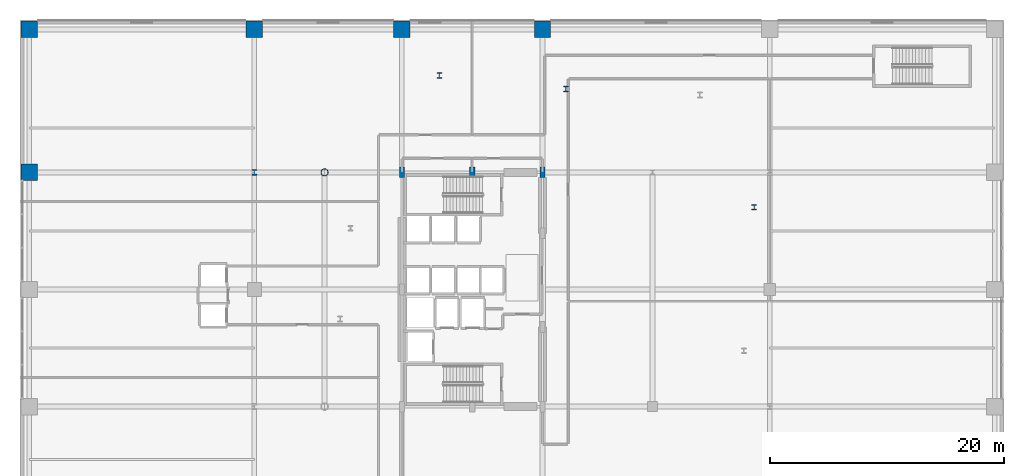
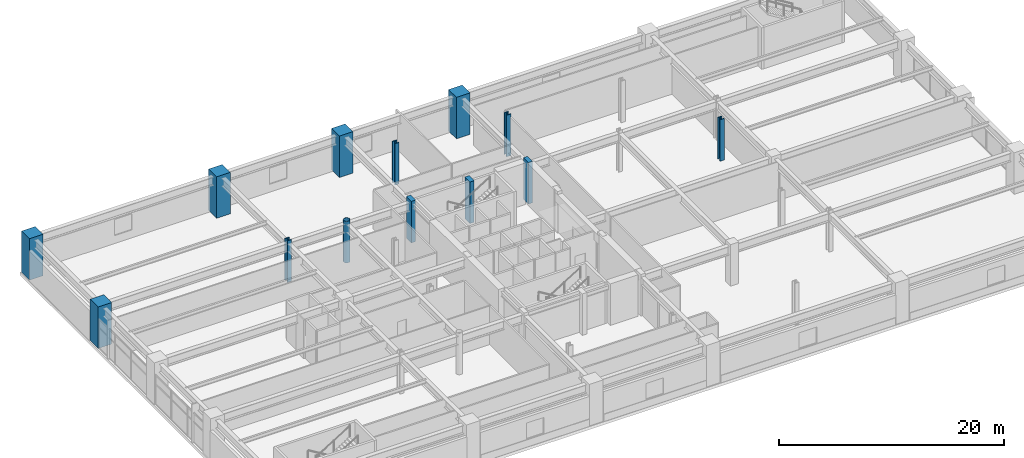
# One storey, part 2 of 28: 13 columns.
"""IFC4 building model written with IfcOpenShell, lengths in metres."""

from ifc_helpers import new_model, si_unit, direction, frame, origin, origin_2d, place, context, subcontext, project, spatial, rectangle, hollow_circle, i_section, extrude, material, material_profile, profile_set, type_object, element, save


model = new_model("IFC4")

# Units and contexts
model_context = context("Model", 3, precision=1e-05, world=origin(), true_north=direction((0.0, 1.0)))
body_context = subcontext(model_context, "Body", "Model", "MODEL_VIEW")
ifc_project = project(units=[si_unit("LENGTHUNIT", "METRE"), si_unit("AREAUNIT", "SQUARE_METRE"), si_unit("VOLUMEUNIT", "CUBIC_METRE"), si_unit("PLANEANGLEUNIT", "RADIAN"), si_unit("MASSUNIT", "GRAM", prefix="KILO")], contexts=[model_context])

# Site, building, storey
site_placement = place(None, origin())
site = spatial("IfcSite", under=ifc_project, at=site_placement, CompositionType="ELEMENT")
building_placement = place(site_placement, origin())
building = spatial("IfcBuilding", under=site, at=building_placement, Name="Soratama Intermodal Tower", CompositionType="ELEMENT")
storey_placement = place(building_placement, frame((0.0, 0.0, 20.699951171875)))
storey = spatial("IfcBuildingStorey", under=building, at=storey_placement, Name="L04", CompositionType="ELEMENT", Elevation=20.699951171875)

# Columns
ifc_material_1 = material(Name="Concrete f'c 56 MPa", Category="concrete")
ifc_material_profile_1 = material_profile(ifc_material_1, rectangle(XDim=1.39990234375, YDim=1.39990234375, at=origin_2d()), Name="RC1400X1400")
ifc_profile_set_1 = profile_set([ifc_material_profile_1], Name="Concrete f'c 56 MPa")
column_type_1 = type_object("IfcColumnType", Name="COL-POD-EXT-RC1400", PredefinedType="COLUMN", material=ifc_profile_set_1)
for number, where, z_axis, x_axis, name in (
    (1, (0.800048828125, 35.0, 0.0), (0.0, 0.0, 1.0), (1.0, 0.0, 0.0), "L04 Station Column P09"),
    (2, (0.800048828125, 47.199951171875, 0.0), (0.0, 0.0, 1.0), (1.0, 0.0, 0.0), "L04 Station Column P13"),
    (3, (20.0, 47.199951171875, 0.0), (0.0, 0.0, 1.0), (1.0, 0.0, 0.0), "L04 Station Column P14"),
    (4, (32.60009765625, 47.199951171875, 0.0), (0.0, 0.0, 1.0), (1.0, 0.0, 0.0), "L04 Station Column P23"),
    (5, (44.60009765625, 47.199951171875, 0.0), (0.0, 0.0, 1.0), (1.0, 0.0, 0.0), "L04 Station Column P24"),
):
    element("IfcColumn", number, at=place(storey_placement, frame(where, z_axis=z_axis, x_axis=x_axis)), inside=storey, type_object=column_type_1, Name=name, PredefinedType="COLUMN", context=body_context, shape_type="SweptSolid", body=[
        extrude(rectangle(XDim=1.39990234375, YDim=1.39990234375, at=origin_2d()), origin(), (0.0, 0.0, 1.0), 4.5),
    ])
ifc_material_2 = material(Name="Structural steel ASTM A992 Grade 50", Category="steel")
ifc_material_profile_2 = material_profile(ifc_material_2, i_section(OverallWidth=0.431884765625, OverallDepth=0.498046875, WebThickness=0.0556640625, FlangeThickness=0.0888671875, FilletRadius=0.0380859375, at=origin_2d()), Name="W14X500")
ifc_profile_set_2 = profile_set([ifc_material_profile_2], Name="Structural steel ASTM A992 Grade 50")
column_type_2 = type_object("IfcColumnType", Name="COL-POD-W14X500", PredefinedType="COLUMN", material=ifc_profile_set_2)
for number, where, z_axis, x_axis, name in (
    (6, (20.0, 35.0, 0.0), (0.0, 0.0, 1.0), (1.0, 0.0, 0.0), "L04 Station Column P10"),
    (7, (62.6689453125, 32.02490234375, 0.0), (0.0, 0.0, 1.0), (1.0, 0.0, 0.0), "L04 Station Column P29"),
    (8, (46.60107421875, 42.116943359375, 0.0), (0.0, 0.0, 1.0), (1.0, 0.0, 0.0), "L04 Station Column P31"),
    (9, (35.7958984375, 43.264892578125, 0.0), (0.0, 0.0, 1.0), (1.0, 0.0, 0.0), "L04 Station Column P32"),
):
    element("IfcColumn", number, at=place(storey_placement, frame(where, z_axis=z_axis, x_axis=x_axis)), inside=storey, type_object=column_type_2, Name=name, PredefinedType="COLUMN", context=body_context, shape_type="SweptSolid", body=[
        extrude(i_section(OverallWidth=0.431884765625, OverallDepth=0.498046875, WebThickness=0.0556640625, FlangeThickness=0.0888671875, FilletRadius=0.0380859375, at=origin_2d()), origin(), (0.0, 0.0, 1.0), 4.5),
    ])
ifc_material_3 = material(Name="Structural steel ASTM A500 Grade C", Category="steel")
ifc_material_profile_3 = material_profile(ifc_material_3, hollow_circle(Radius=0.304931640625, WallThickness=0.02197265625, at=origin_2d()), Name="CHS610X22")
ifc_profile_set_3 = profile_set([ifc_material_profile_3], Name="Structural steel ASTM A500 Grade C")
column_type_3 = type_object("IfcColumnType", Name="COL-POOL-CHS610", PredefinedType="COLUMN", material=ifc_profile_set_3)
column_placement = place(storey_placement, frame((26.0, 35.0, 0.0), z_axis=(0.0, 0.0, 1.0), x_axis=(1.0, 0.0, 0.0)))
element("IfcColumn", 10, at=column_placement, inside=storey, type_object=column_type_3, Name="L04 Station Column P28", PredefinedType="COLUMN", context=body_context, shape_type="SweptSolid", body=[
    extrude(hollow_circle(Radius=0.304931640625, WallThickness=0.02197265625, at=origin_2d()), origin(), (0.0, 0.0, 1.0), 4.5),
])
ifc_material_4 = material(Name="Concrete f'c 56 MPa", Category="concrete")
ifc_material_profile_4 = material_profile(ifc_material_4, rectangle(XDim=0.449951171875, YDim=0.89990234375, at=origin_2d()), Name="RC450X900")
ifc_profile_set_4 = profile_set([ifc_material_profile_4], Name="Concrete f'c 56 MPa")
column_type_4 = type_object("IfcColumnType", Name="PIL-CORE-450X900", PredefinedType="PILASTER", material=ifc_profile_set_4)
for number, where, z_axis, x_axis, name in (
    (11, (32.60009765625, 35.0, 0.0), (0.0, 0.0, 1.0), (1.0, 0.0, 0.0), "L04 Core Pilaster 3"),
    (12, (38.60009765625, 35.0, 0.0), (0.0, 0.0, 1.0), (1.0, 0.0, 0.0), "L04 Core Pilaster 5"),
    (13, (44.60009765625, 35.0, 0.0), (0.0, 0.0, 1.0), (1.0, 0.0, 0.0), "L04 Core Pilaster 9"),
):
    element("IfcColumn", number, at=place(storey_placement, frame(where, z_axis=z_axis, x_axis=x_axis)), inside=storey, type_object=column_type_4, Name=name, PredefinedType="PILASTER", context=body_context, shape_type="SweptSolid", body=[
        extrude(rectangle(XDim=0.449951171875, YDim=0.89990234375, at=origin_2d()), origin(), (0.0, 0.0, 1.0), 4.5),
    ])

save(model, "model.ifc")
